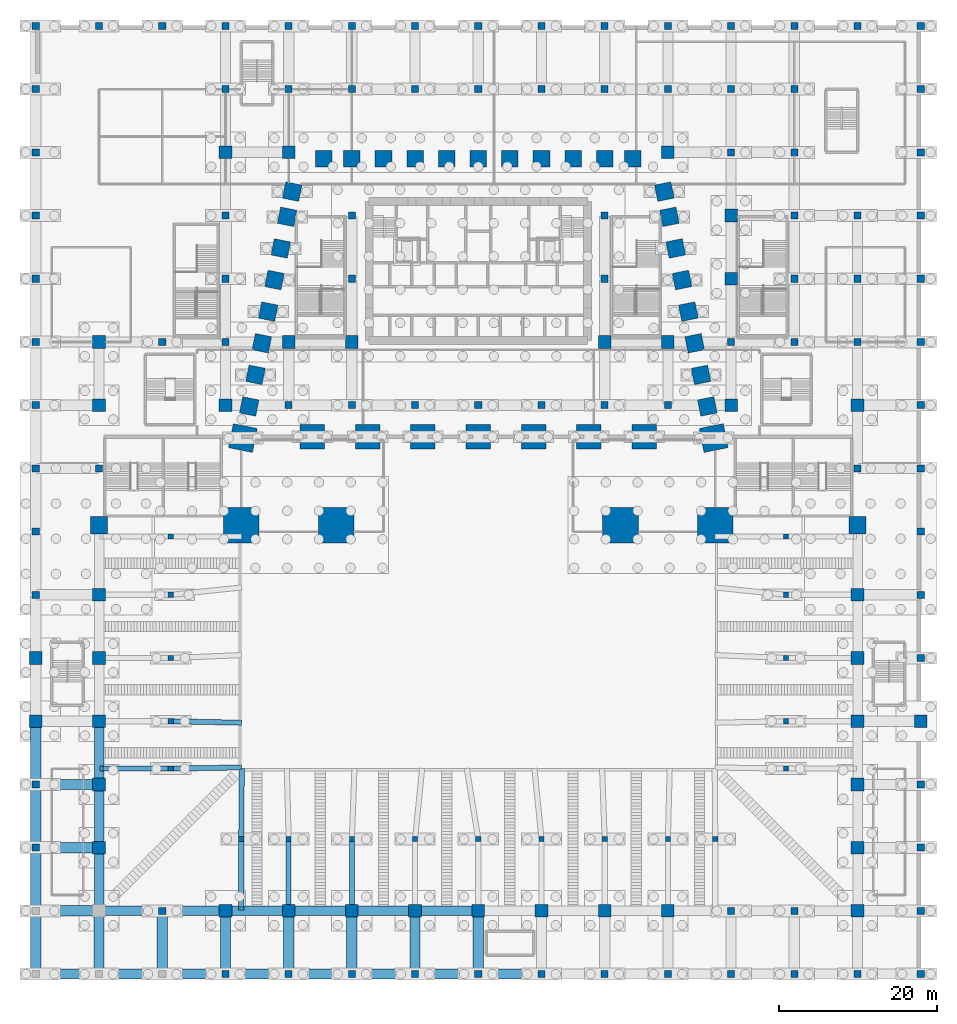
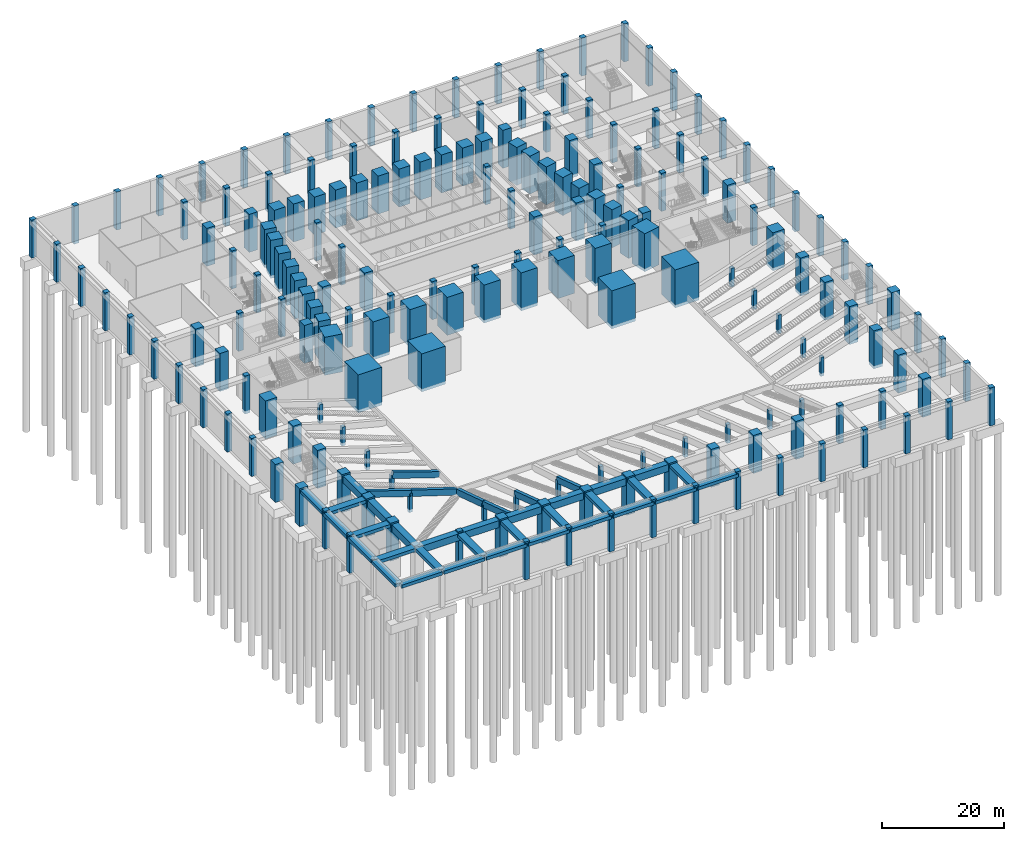
# One storey, part 4 of 30: 187 columns, 38 beams.
"""IFC4 building model written with IfcOpenShell, lengths in metres."""

from ifc_helpers import new_model, si_unit, direction, frame, origin, origin_2d, place, context, subcontext, project, spatial, rectangle, extrude, material, material_profile, profile_set, type_object, element, save


model = new_model("IFC4")

# Units and contexts
model_context = context("Model", 3, precision=1e-05, world=origin(), true_north=direction((0.0, 1.0)))
body_context = subcontext(model_context, "Body", "Model", "MODEL_VIEW")
ifc_project = project(units=[si_unit("LENGTHUNIT", "METRE"), si_unit("AREAUNIT", "SQUARE_METRE"), si_unit("VOLUMEUNIT", "CUBIC_METRE"), si_unit("PLANEANGLEUNIT", "RADIAN"), si_unit("MASSUNIT", "GRAM", prefix="KILO")], contexts=[model_context])

# Site, building, storey
site_placement = place(None, origin())
site = spatial("IfcSite", under=ifc_project, at=site_placement, CompositionType="ELEMENT")
building_placement = place(site_placement, origin())
building = spatial("IfcBuilding", under=site, at=building_placement, Name="Isbrekke Arena Tower", CompositionType="ELEMENT")
storey_placement = place(building_placement, frame((0.0, 0.0, -7.0)))
storey = spatial("IfcBuildingStorey", under=building, at=storey_placement, Name="B1", CompositionType="ELEMENT", Elevation=-7.0)

# Columns
ifc_material_1 = material(Name="Concrete B90 (C90/105)", Category="concrete")
ifc_material_profile_1 = material_profile(ifc_material_1, rectangle(XDim=2.10009765625, YDim=2.10009765625, at=origin_2d()), Name="RC 2100x2100")
ifc_profile_set_1 = profile_set([ifc_material_profile_1], Name="Concrete B90 (C90/105)")
column_type_1 = type_object("IfcColumnType", Name="C1 RC 2100 x 2100", PredefinedType="COLUMN", material=ifc_profile_set_1)
for number, where, z_axis, x_axis, name in (
    (1, (28.990966796875, -2.161865234375, -0.60009765625), (0.0, 0.0, 1.0), (-0.196116135138, 0.980580675691, 0.0), "C1 E04"),
    (2, (28.19091796875, 1.838134765625, -0.60009765625), (0.0, 0.0, 1.0), (-0.196116135138, 0.980580675691, 0.0), "C1 E05"),
    (3, (27.39111328125, 5.838134765625, -0.60009765625), (0.0, 0.0, 1.0), (-0.196116135138, 0.980580675691, 0.0), "C1 E06"),
    (4, (26.591064453125, 9.838134765625, -0.60009765625), (0.0, 0.0, 1.0), (-0.196116135138, 0.980580675691, 0.0), "C1 E07"),
    (5, (25.791015625, 13.838134765625, -0.60009765625), (0.0, 0.0, 1.0), (-0.196116135138, 0.980580675691, 0.0), "C1 E08"),
    (6, (24.990966796875, 17.838134765625, -0.60009765625), (0.0, 0.0, 1.0), (-0.196116135138, 0.980580675691, 0.0), "C1 E09"),
    (7, (24.19091796875, 21.838134765625, -0.60009765625), (0.0, 0.0, 1.0), (-0.196116135138, 0.980580675691, 0.0), "C1 E10"),
    (8, (23.552734375, 25.029296875, -0.60009765625), (0.0, 0.0, 1.0), (-0.196116135138, 0.980580675691, 0.0), "C1 E11"),
    (9, (19.574951171875, 29.175048828125, -0.60009765625), (0.0, 0.0, 1.0), (-1.0, 0.0, 0.0), "C1 N01"),
    (10, (16.0, 29.175048828125, -0.60009765625), (0.0, 0.0, 1.0), (-1.0, 0.0, 0.0), "C1 N02"),
    (11, (12.0, 29.175048828125, -0.60009765625), (0.0, 0.0, 1.0), (-1.0, 0.0, 0.0), "C1 N03"),
    (12, (8.0, 29.175048828125, -0.60009765625), (0.0, 0.0, 1.0), (-1.0, 0.0, 0.0), "C1 N04"),
    (13, (4.0, 29.175048828125, -0.60009765625), (0.0, 0.0, 1.0), (-1.0, 0.0, 0.0), "C1 N05"),
    (14, (0.0, 29.175048828125, -0.60009765625), (0.0, 0.0, 1.0), (-1.0, 0.0, 0.0), "C1 N06"),
    (15, (-4.0, 29.175048828125, -0.60009765625), (0.0, 0.0, 1.0), (-1.0, 0.0, 0.0), "C1 N07"),
    (16, (-8.0, 29.175048828125, -0.60009765625), (0.0, 0.0, 1.0), (-1.0, 0.0, 0.0), "C1 N08"),
    (17, (-12.0, 29.175048828125, -0.60009765625), (0.0, 0.0, 1.0), (-1.0, 0.0, 0.0), "C1 N09"),
    (18, (-16.0, 29.175048828125, -0.60009765625), (0.0, 0.0, 1.0), (-1.0, 0.0, 0.0), "C1 N10"),
    (19, (-19.574951171875, 29.175048828125, -0.60009765625), (0.0, 0.0, 1.0), (-1.0, 0.0, 0.0), "C1 N11"),
    (20, (-23.552734375, 25.029296875, -0.60009765625), (0.0, 0.0, 1.0), (-0.196116135138, -0.980580675691, 0.0), "C1 W01"),
    (21, (-24.19091796875, 21.838134765625, -0.60009765625), (0.0, 0.0, 1.0), (-0.196116135138, -0.980580675691, 0.0), "C1 W02"),
    (22, (-24.990966796875, 17.838134765625, -0.60009765625), (0.0, 0.0, 1.0), (-0.196116135138, -0.980580675691, 0.0), "C1 W03"),
    (23, (-25.791015625, 13.838134765625, -0.60009765625), (0.0, 0.0, 1.0), (-0.196116135138, -0.980580675691, 0.0), "C1 W04"),
    (24, (-26.591064453125, 9.838134765625, -0.60009765625), (0.0, 0.0, 1.0), (-0.196116135138, -0.980580675691, 0.0), "C1 W05"),
    (25, (-27.39111328125, 5.838134765625, -0.60009765625), (0.0, 0.0, 1.0), (-0.196116135138, -0.980580675691, 0.0), "C1 W06"),
    (26, (-28.19091796875, 1.838134765625, -0.60009765625), (0.0, 0.0, 1.0), (-0.196116135138, -0.980580675691, 0.0), "C1 W07"),
    (27, (-28.990966796875, -2.161865234375, -0.60009765625), (0.0, 0.0, 1.0), (-0.196116135138, -0.980580675691, 0.0), "C1 W08"),
):
    element("IfcColumn", number, at=place(storey_placement, frame(where, z_axis=z_axis, x_axis=x_axis)), inside=storey, type_object=column_type_1, Name=name, PredefinedType="COLUMN", context=body_context, shape_type="SweptSolid", body=[
        extrude(rectangle(XDim=2.10009765625, YDim=2.10009765625, at=origin_2d()), origin(), (0.0, 0.0, 1.0), 7.60009765625),
    ])
ifc_material_2 = material(Name="Concrete B55 (C55/67)", Category="concrete")
ifc_material_profile_2 = material_profile(ifc_material_2, rectangle(XDim=1.60009765625, YDim=1.60009765625, at=origin_2d()), Name="RC 1600x1600")
ifc_profile_set_2 = profile_set([ifc_material_profile_2], Name="Concrete B55 (C55/67)")
column_type_2 = type_object("IfcColumnType", Name="C15 RC 1600 x 1600", PredefinedType="COLUMN", material=ifc_profile_set_2)
for number, where, z_axis, x_axis, name in (
    (28, (-48.0, -58.0, -0.60009765625), (0.0, 0.0, 1.0), (1.0, 0.0, 0.0), "C15 PC2"),
    (29, (-48.0, -50.0, -0.60009765625), (0.0, 0.0, 1.0), (1.0, 0.0, 0.0), "C15 PD2"),
    (30, (-48.0, -42.0, -0.60009765625), (0.0, 0.0, 1.0), (1.0, 0.0, 0.0), "C15 PE2"),
    (31, (-48.0, -34.0, -0.60009765625), (0.0, 0.0, 1.0), (1.0, 0.0, 0.0), "C15 PF2"),
    (32, (-48.0, -26.0, -0.60009765625), (0.0, 0.0, 1.0), (1.0, 0.0, 0.0), "C15 PG2"),
    (33, (48.0, -66.0, -0.60009765625), (0.0, 0.0, 1.0), (1.0, 0.0, 0.0), "C15 PB14"),
    (34, (48.0, -58.0, -0.60009765625), (0.0, 0.0, 1.0), (1.0, 0.0, 0.0), "C15 PC14"),
    (35, (48.0, -50.0, -0.60009765625), (0.0, 0.0, 1.0), (1.0, 0.0, 0.0), "C15 PD14"),
    (36, (48.0, -42.0, -0.60009765625), (0.0, 0.0, 1.0), (1.0, 0.0, 0.0), "C15 PE14"),
    (37, (48.0, -34.0, -0.60009765625), (0.0, 0.0, 1.0), (1.0, 0.0, 0.0), "C15 PF14"),
    (38, (48.0, -26.0, -0.60009765625), (0.0, 0.0, 1.0), (1.0, 0.0, 0.0), "C15 PG14"),
):
    element("IfcColumn", number, at=place(storey_placement, frame(where, z_axis=z_axis, x_axis=x_axis)), inside=storey, type_object=column_type_2, Name=name, PredefinedType="COLUMN", context=body_context, shape_type="SweptSolid", body=[
        extrude(rectangle(XDim=1.60009765625, YDim=1.60009765625, at=origin_2d()), origin(), (0.0, 0.0, 1.0), 7.60009765625),
    ])
ifc_material_3 = material(Name="Concrete B55 (C55/67)", Category="concrete")
ifc_material_profile_3 = material_profile(ifc_material_3, rectangle(XDim=0.89990234375, YDim=0.89990234375, at=origin_2d()), Name="RC 900x900")
ifc_profile_set_3 = profile_set([ifc_material_profile_3], Name="Concrete B55 (C55/67)")
column_type_3 = type_object("IfcColumnType", Name="C16 RC 900 x 900", PredefinedType="COLUMN", material=ifc_profile_set_3)
for number, where, z_axis, x_axis, name in (
    (39, (-56.0, -58.0, -0.60009765625), (0.0, 0.0, 1.0), (1.0, 0.0, 0.0), "C16 PC1"),
    (40, (-56.0, -50.0, -0.60009765625), (0.0, 0.0, 1.0), (1.0, 0.0, 0.0), "C16 PD1"),
    (41, (-56.0, -26.0, -0.60009765625), (0.0, 0.0, 1.0), (1.0, 0.0, 0.0), "C16 PG1"),
    (42, (-56.0, -18.0, -0.60009765625), (0.0, 0.0, 1.0), (1.0, 0.0, 0.0), "C16 PH1"),
    (43, (-56.0, -10.0, -0.60009765625), (0.0, 0.0, 1.0), (1.0, 0.0, 0.0), "C16 PI1"),
    (44, (-56.0, -2.0, -0.60009765625), (0.0, 0.0, 1.0), (1.0, 0.0, 0.0), "C16 PJ1"),
    (45, (-56.0, 6.0, -0.60009765625), (0.0, 0.0, 1.0), (1.0, 0.0, 0.0), "C16 PK1"),
    (46, (-56.0, 14.0, -0.60009765625), (0.0, 0.0, 1.0), (1.0, 0.0, 0.0), "C16 PL1"),
    (47, (-56.0, 22.0, -0.60009765625), (0.0, 0.0, 1.0), (1.0, 0.0, 0.0), "C16 PM1"),
    (48, (-56.0, 30.0, -0.60009765625), (0.0, 0.0, 1.0), (1.0, 0.0, 0.0), "C16 PN1"),
    (49, (-56.0, 38.0, -0.60009765625), (0.0, 0.0, 1.0), (1.0, 0.0, 0.0), "C16 PO1"),
    (50, (-56.0, 46.0, -0.60009765625), (0.0, 0.0, 1.0), (1.0, 0.0, 0.0), "C16 PP1"),
    (51, (-48.0, -10.0, -0.60009765625), (0.0, 0.0, 1.0), (1.0, 0.0, 0.0), "C16 PI2"),
    (52, (-48.0, 46.0, -0.60009765625), (0.0, 0.0, 1.0), (1.0, 0.0, 0.0), "C16 PP2"),
    (53, (-40.0, -66.0, -0.60009765625), (0.0, 0.0, 1.0), (1.0, 0.0, 0.0), "C16 PB3"),
    (54, (-40.0, 6.0, -0.60009765625), (0.0, 0.0, 1.0), (1.0, 0.0, 0.0), "C16 PK3"),
    (55, (-40.0, 46.0, -0.60009765625), (0.0, 0.0, 1.0), (1.0, 0.0, 0.0), "C16 PP3"),
    (56, (-32.0, -74.0, -0.60009765625), (0.0, 0.0, 1.0), (1.0, 0.0, 0.0), "C16 PA4"),
    (57, (-32.0, 6.0, -0.60009765625), (0.0, 0.0, 1.0), (1.0, 0.0, 0.0), "C16 PK4"),
    (58, (-32.0, 14.0, -0.60009765625), (0.0, 0.0, 1.0), (1.0, 0.0, 0.0), "C16 PL4"),
    (59, (-32.0, 22.0, -0.60009765625), (0.0, 0.0, 1.0), (1.0, 0.0, 0.0), "C16 PM4"),
    (60, (-32.0, 38.0, -0.60009765625), (0.0, 0.0, 1.0), (1.0, 0.0, 0.0), "C16 PO4"),
    (61, (-32.0, 46.0, -0.60009765625), (0.0, 0.0, 1.0), (1.0, 0.0, 0.0), "C16 PP4"),
    (62, (-24.0, -74.0, -0.60009765625), (0.0, 0.0, 1.0), (1.0, 0.0, 0.0), "C16 PA5"),
    (63, (-24.0, -2.0, -0.60009765625), (0.0, 0.0, 1.0), (1.0, 0.0, 0.0), "C16 PJ5"),
    (64, (-24.0, 38.0, -0.60009765625), (0.0, 0.0, 1.0), (1.0, 0.0, 0.0), "C16 PO5"),
    (65, (-24.0, 46.0, -0.60009765625), (0.0, 0.0, 1.0), (1.0, 0.0, 0.0), "C16 PP5"),
    (66, (-16.0, -74.0, -0.60009765625), (0.0, 0.0, 1.0), (1.0, 0.0, 0.0), "C16 PA6"),
    (67, (-16.0, -2.0, -0.60009765625), (0.0, 0.0, 1.0), (1.0, 0.0, 0.0), "C16 PJ6"),
    (68, (-16.0, 14.0, -0.60009765625), (0.0, 0.0, 1.0), (1.0, 0.0, 0.0), "C16 PL6"),
    (69, (-16.0, 22.0, -0.60009765625), (0.0, 0.0, 1.0), (1.0, 0.0, 0.0), "C16 PM6"),
    (70, (-16.0, 38.0, -0.60009765625), (0.0, 0.0, 1.0), (1.0, 0.0, 0.0), "C16 PO6"),
    (71, (-16.0, 46.0, -0.60009765625), (0.0, 0.0, 1.0), (1.0, 0.0, 0.0), "C16 PP6"),
    (72, (-8.0, -74.0, -0.60009765625), (0.0, 0.0, 1.0), (1.0, 0.0, 0.0), "C16 PA7"),
    (73, (-8.0, -2.0, -0.60009765625), (0.0, 0.0, 1.0), (1.0, 0.0, 0.0), "C16 PJ7"),
    (74, (-8.0, 38.0, -0.60009765625), (0.0, 0.0, 1.0), (1.0, 0.0, 0.0), "C16 PO7"),
    (75, (-8.0, 46.0, -0.60009765625), (0.0, 0.0, 1.0), (1.0, 0.0, 0.0), "C16 PP7"),
    (76, (0.0, -74.0, -0.60009765625), (0.0, 0.0, 1.0), (1.0, 0.0, 0.0), "C16 PA8"),
    (77, (0.0, -2.0, -0.60009765625), (0.0, 0.0, 1.0), (1.0, 0.0, 0.0), "C16 PJ8"),
    (78, (0.0, 38.0, -0.60009765625), (0.0, 0.0, 1.0), (1.0, 0.0, 0.0), "C16 PO8"),
    (79, (0.0, 46.0, -0.60009765625), (0.0, 0.0, 1.0), (1.0, 0.0, 0.0), "C16 PP8"),
    (80, (8.0, -74.0, -0.60009765625), (0.0, 0.0, 1.0), (1.0, 0.0, 0.0), "C16 PA9"),
    (81, (8.0, -2.0, -0.60009765625), (0.0, 0.0, 1.0), (1.0, 0.0, 0.0), "C16 PJ9"),
    (82, (8.0, 38.0, -0.60009765625), (0.0, 0.0, 1.0), (1.0, 0.0, 0.0), "C16 PO9"),
    (83, (8.0, 46.0, -0.60009765625), (0.0, 0.0, 1.0), (1.0, 0.0, 0.0), "C16 PP9"),
    (84, (16.0, -74.0, -0.60009765625), (0.0, 0.0, 1.0), (1.0, 0.0, 0.0), "C16 PA10"),
    (85, (16.0, -2.0, -0.60009765625), (0.0, 0.0, 1.0), (1.0, 0.0, 0.0), "C16 PJ10"),
    (86, (16.0, 14.0, -0.60009765625), (0.0, 0.0, 1.0), (1.0, 0.0, 0.0), "C16 PL10"),
    (87, (16.0, 22.0, -0.60009765625), (0.0, 0.0, 1.0), (1.0, 0.0, 0.0), "C16 PM10"),
    (88, (16.0, 38.0, -0.60009765625), (0.0, 0.0, 1.0), (1.0, 0.0, 0.0), "C16 PO10"),
    (89, (16.0, 46.0, -0.60009765625), (0.0, 0.0, 1.0), (1.0, 0.0, 0.0), "C16 PP10"),
    (90, (24.0, -74.0, -0.60009765625), (0.0, 0.0, 1.0), (1.0, 0.0, 0.0), "C16 PA11"),
    (91, (24.0, -2.0, -0.60009765625), (0.0, 0.0, 1.0), (1.0, 0.0, 0.0), "C16 PJ11"),
    (92, (24.0, 38.0, -0.60009765625), (0.0, 0.0, 1.0), (1.0, 0.0, 0.0), "C16 PO11"),
    (93, (24.0, 46.0, -0.60009765625), (0.0, 0.0, 1.0), (1.0, 0.0, 0.0), "C16 PP11"),
    (94, (32.0, -74.0, -0.60009765625), (0.0, 0.0, 1.0), (1.0, 0.0, 0.0), "C16 PA12"),
    (95, (32.0, -66.0, -0.60009765625), (0.0, 0.0, 1.0), (1.0, 0.0, 0.0), "C16 PB12"),
    (96, (32.0, 6.0, -0.60009765625), (0.0, 0.0, 1.0), (1.0, 0.0, 0.0), "C16 PK12"),
    (97, (32.0, 30.0, -0.60009765625), (0.0, 0.0, 1.0), (1.0, 0.0, 0.0), "C16 PN12"),
    (98, (32.0, 38.0, -0.60009765625), (0.0, 0.0, 1.0), (1.0, 0.0, 0.0), "C16 PO12"),
    (99, (32.0, 46.0, -0.60009765625), (0.0, 0.0, 1.0), (1.0, 0.0, 0.0), "C16 PP12"),
    (100, (40.0, -74.0, -0.60009765625), (0.0, 0.0, 1.0), (1.0, 0.0, 0.0), "C16 PA13"),
    (101, (40.0, -66.0, -0.60009765625), (0.0, 0.0, 1.0), (1.0, 0.0, 0.0), "C16 PB13"),
    (102, (40.0, 6.0, -0.60009765625), (0.0, 0.0, 1.0), (1.0, 0.0, 0.0), "C16 PK13"),
    (103, (40.0, 14.0, -0.60009765625), (0.0, 0.0, 1.0), (1.0, 0.0, 0.0), "C16 PL13"),
    (104, (40.0, 22.0, -0.60009765625), (0.0, 0.0, 1.0), (1.0, 0.0, 0.0), "C16 PM13"),
    (105, (40.0, 30.0, -0.60009765625), (0.0, 0.0, 1.0), (1.0, 0.0, 0.0), "C16 PN13"),
    (106, (40.0, 38.0, -0.60009765625), (0.0, 0.0, 1.0), (1.0, 0.0, 0.0), "C16 PO13"),
    (107, (40.0, 46.0, -0.60009765625), (0.0, 0.0, 1.0), (1.0, 0.0, 0.0), "C16 PP13"),
    (108, (48.0, -74.0, -0.60009765625), (0.0, 0.0, 1.0), (1.0, 0.0, 0.0), "C16 PA14"),
    (109, (48.0, -10.0, -0.60009765625), (0.0, 0.0, 1.0), (1.0, 0.0, 0.0), "C16 PI14"),
    (110, (48.0, 6.0, -0.60009765625), (0.0, 0.0, 1.0), (1.0, 0.0, 0.0), "C16 PK14"),
    (111, (48.0, 14.0, -0.60009765625), (0.0, 0.0, 1.0), (1.0, 0.0, 0.0), "C16 PL14"),
    (112, (48.0, 22.0, -0.60009765625), (0.0, 0.0, 1.0), (1.0, 0.0, 0.0), "C16 PM14"),
    (113, (48.0, 46.0, -0.60009765625), (0.0, 0.0, 1.0), (1.0, 0.0, 0.0), "C16 PP14"),
    (114, (56.0, -74.0, -0.60009765625), (0.0, 0.0, 1.0), (1.0, 0.0, 0.0), "C16 PA15"),
    (115, (56.0, -66.0, -0.60009765625), (0.0, 0.0, 1.0), (1.0, 0.0, 0.0), "C16 PB15"),
    (116, (56.0, -58.0, -0.60009765625), (0.0, 0.0, 1.0), (1.0, 0.0, 0.0), "C16 PC15"),
    (117, (56.0, -50.0, -0.60009765625), (0.0, 0.0, 1.0), (1.0, 0.0, 0.0), "C16 PD15"),
    (118, (56.0, -34.0, -0.60009765625), (0.0, 0.0, 1.0), (1.0, 0.0, 0.0), "C16 PF15"),
    (119, (56.0, -26.0, -0.60009765625), (0.0, 0.0, 1.0), (1.0, 0.0, 0.0), "C16 PG15"),
    (120, (56.0, -18.0, -0.60009765625), (0.0, 0.0, 1.0), (1.0, 0.0, 0.0), "C16 PH15"),
    (121, (56.0, -10.0, -0.60009765625), (0.0, 0.0, 1.0), (1.0, 0.0, 0.0), "C16 PI15"),
    (122, (56.0, -2.0, -0.60009765625), (0.0, 0.0, 1.0), (1.0, 0.0, 0.0), "C16 PJ15"),
    (123, (56.0, 6.0, -0.60009765625), (0.0, 0.0, 1.0), (1.0, 0.0, 0.0), "C16 PK15"),
    (124, (56.0, 14.0, -0.60009765625), (0.0, 0.0, 1.0), (1.0, 0.0, 0.0), "C16 PL15"),
    (125, (56.0, 22.0, -0.60009765625), (0.0, 0.0, 1.0), (1.0, 0.0, 0.0), "C16 PM15"),
    (126, (56.0, 30.0, -0.60009765625), (0.0, 0.0, 1.0), (1.0, 0.0, 0.0), "C16 PN15"),
    (127, (56.0, 38.0, -0.60009765625), (0.0, 0.0, 1.0), (1.0, 0.0, 0.0), "C16 PO15"),
    (128, (56.0, 46.0, -0.60009765625), (0.0, 0.0, 1.0), (1.0, 0.0, 0.0), "C16 PP15"),
):
    element("IfcColumn", number, at=place(storey_placement, frame(where, z_axis=z_axis, x_axis=x_axis)), inside=storey, type_object=column_type_3, Name=name, PredefinedType="COLUMN", context=body_context, shape_type="SweptSolid", body=[
        extrude(rectangle(XDim=0.89990234375, YDim=0.89990234375, at=origin_2d()), origin(), (0.0, 0.0, 1.0), 7.60009765625),
    ])
ifc_material_4 = material(Name="Concrete B90 (C90/105)", Category="concrete")
ifc_material_profile_4 = material_profile(ifc_material_4, rectangle(XDim=3.10009765625, YDim=3.10009765625, at=origin_2d()), Name="RC 3100x3100")
ifc_profile_set_4 = profile_set([ifc_material_profile_4], Name="Concrete B90 (C90/105)")
column_type_4 = type_object("IfcColumnType", Name="C17 RC 3100 x 3100", PredefinedType="COLUMN", material=ifc_profile_set_4)
for number, where, z_axis, x_axis, name in (
    (129, (29.791015625, -6.161865234375, -0.60009765625), (0.0, 0.0, 1.0), (-0.196116135138, 0.980580675691, 0.0), "C17 E03"),
    (130, (-29.791015625, -6.161865234375, -0.60009765625), (0.0, 0.0, 1.0), (-0.196116135138, -0.980580675691, 0.0), "C17 W09"),
    (131, (-21.0, -6.0, -0.60009765625), (0.0, 0.0, 1.0), (1.0, 0.0, 0.0), "C17 I01"),
    (132, (-14.0, -6.0, -0.60009765625), (0.0, 0.0, 1.0), (1.0, 0.0, 0.0), "C17 I02"),
    (133, (-7.0, -6.0, -0.60009765625), (0.0, 0.0, 1.0), (1.0, 0.0, 0.0), "C17 I03"),
    (134, (0.0, -6.0, -0.60009765625), (0.0, 0.0, 1.0), (1.0, 0.0, 0.0), "C17 I04"),
    (135, (7.0, -6.0, -0.60009765625), (0.0, 0.0, 1.0), (1.0, 0.0, 0.0), "C17 I05"),
    (136, (14.0, -6.0, -0.60009765625), (0.0, 0.0, 1.0), (1.0, 0.0, 0.0), "C17 I06"),
    (137, (21.0, -6.0, -0.60009765625), (0.0, 0.0, 1.0), (1.0, 0.0, 0.0), "C17 I07"),
):
    element("IfcColumn", number, at=place(storey_placement, frame(where, z_axis=z_axis, x_axis=x_axis)), inside=storey, type_object=column_type_4, Name=name, PredefinedType="COLUMN", context=body_context, shape_type="SweptSolid", body=[
        extrude(rectangle(XDim=3.10009765625, YDim=3.10009765625, at=origin_2d()), origin(), (0.0, 0.0, 1.0), 7.60009765625),
    ])
ifc_material_5 = material(Name="Concrete B55 (C55/67)", Category="concrete")
ifc_material_profile_5 = material_profile(ifc_material_5, rectangle(XDim=1.60009765625, YDim=1.60009765625, at=origin_2d()), Name="RC 1600x1600")
ifc_profile_set_5 = profile_set([ifc_material_profile_5], Name="Concrete B55 (C55/67)")
column_type_5 = type_object("IfcColumnType", Name="C18 RC 1600 x 1600", PredefinedType="COLUMN", material=ifc_profile_set_5)
for number, where, z_axis, x_axis, name in (
    (138, (-56.0, -42.0, -0.60009765625), (0.0, 0.0, 1.0), (1.0, 0.0, 0.0), "C18 PE1"),
    (139, (-56.0, -34.0, -0.60009765625), (0.0, 0.0, 1.0), (1.0, 0.0, 0.0), "C18 PF1"),
    (140, (-48.0, -2.0, -0.60009765625), (0.0, 0.0, 1.0), (1.0, 0.0, 0.0), "C18 PJ2"),
    (141, (-48.0, 6.0, -0.60009765625), (0.0, 0.0, 1.0), (1.0, 0.0, 0.0), "C18 PK2"),
    (142, (-32.0, -66.0, -0.60009765625), (0.0, 0.0, 1.0), (1.0, 0.0, 0.0), "C18 PB4"),
    (143, (-32.0, -2.0, -0.60009765625), (0.0, 0.0, 1.0), (1.0, 0.0, 0.0), "C18 PJ4"),
    (144, (-32.0, 30.0, -0.60009765625), (0.0, 0.0, 1.0), (1.0, 0.0, 0.0), "C18 PN4"),
    (145, (-24.0, -66.0, -0.60009765625), (0.0, 0.0, 1.0), (1.0, 0.0, 0.0), "C18 PB5"),
    (146, (-24.0, 6.0, -0.60009765625), (0.0, 0.0, 1.0), (1.0, 0.0, 0.0), "C18 PK5"),
    (147, (-24.0, 30.0, -0.60009765625), (0.0, 0.0, 1.0), (1.0, 0.0, 0.0), "C18 PN5"),
    (148, (-16.0, -66.0, -0.60009765625), (0.0, 0.0, 1.0), (1.0, 0.0, 0.0), "C18 PB6"),
    (149, (-16.030029296875, 6.0, -0.60009765625), (0.0, 0.0, 1.0), (1.0, 0.0, 0.0), "C18 PK6"),
    (150, (-8.0, -66.0, -0.60009765625), (0.0, 0.0, 1.0), (1.0, 0.0, 0.0), "C18 PB7"),
    (151, (0.0, -66.0, -0.60009765625), (0.0, 0.0, 1.0), (1.0, 0.0, 0.0), "C18 PB8"),
    (152, (8.0, -66.0, -0.60009765625), (0.0, 0.0, 1.0), (1.0, 0.0, 0.0), "C18 PB9"),
    (153, (16.0, -66.0, -0.60009765625), (0.0, 0.0, 1.0), (1.0, 0.0, 0.0), "C18 PB10"),
    (154, (16.030029296875, 6.0, -0.60009765625), (0.0, 0.0, 1.0), (1.0, 0.0, 0.0), "C18 PK10"),
    (155, (24.0, -66.0, -0.60009765625), (0.0, 0.0, 1.0), (1.0, 0.0, 0.0), "C18 PB11"),
    (156, (24.0, 6.0, -0.60009765625), (0.0, 0.0, 1.0), (1.0, 0.0, 0.0), "C18 PK11"),
    (157, (24.0, 30.0, -0.60009765625), (0.0, 0.0, 1.0), (1.0, 0.0, 0.0), "C18 PN11"),
    (158, (32.0, -2.0, -0.60009765625), (0.0, 0.0, 1.0), (1.0, 0.0, 0.0), "C18 PJ12"),
    (159, (32.0, 14.0, -0.60009765625), (0.0, 0.0, 1.0), (1.0, 0.0, 0.0), "C18 PL12"),
    (160, (32.0, 22.0, -0.60009765625), (0.0, 0.0, 1.0), (1.0, 0.0, 0.0), "C18 PM12"),
    (161, (48.0, -2.0, -0.60009765625), (0.0, 0.0, 1.0), (1.0, 0.0, 0.0), "C18 PJ14"),
    (162, (56.0, -42.0, -0.60009765625), (0.0, 0.0, 1.0), (1.0, 0.0, 0.0), "C18 PE15"),
):
    element("IfcColumn", number, at=place(storey_placement, frame(where, z_axis=z_axis, x_axis=x_axis)), inside=storey, type_object=column_type_5, Name=name, PredefinedType="COLUMN", context=body_context, shape_type="SweptSolid", body=[
        extrude(rectangle(XDim=1.60009765625, YDim=1.60009765625, at=origin_2d()), origin(), (0.0, 0.0, 1.0), 7.60009765625),
    ])
ifc_material_6 = material(Name="Concrete B45 (C45/55)", Category="concrete")
ifc_material_profile_6 = material_profile(ifc_material_6, rectangle(XDim=0.64990234375, YDim=0.64990234375, at=origin_2d()), Name="RC 650x650")
ifc_profile_set_6 = profile_set([ifc_material_profile_6], Name="Concrete B45 (C45/55)")
column_type_6 = type_object("IfcColumnType", Name="C19 RC 650 x 650", PredefinedType="COLUMN", material=ifc_profile_set_6)
for number, where, z_axis, x_axis, name in (
    (163, (38.925048828125, -48.0, -0.60009765625), (0.0, 0.0, 1.0), (1.0, 0.0, 0.0), "C19 RE48"),
    (164, (38.925048828125, -42.0, -0.60009765625), (0.0, 0.0, 1.0), (1.0, 0.0, 0.0), "C19 RE42"),
    (165, (38.925048828125, -34.0, -0.60009765625), (0.0, 0.0, 1.0), (1.0, 0.0, 0.0), "C19 RE34"),
    (166, (38.925048828125, -26.0, -0.60009765625), (0.0, 0.0, 1.0), (1.0, 0.0, 0.0), "C19 RE26"),
    (167, (38.925048828125, -18.60009765625, -0.60009765625), (0.0, 0.0, 1.0), (1.0, 0.0, 0.0), "C19 RE18"),
    (168, (-38.925048828125, -48.0, -0.60009765625), (0.0, 0.0, 1.0), (1.0, 0.0, 0.0), "C19 RW48"),
    (169, (-38.925048828125, -42.0, -0.60009765625), (0.0, 0.0, 1.0), (1.0, 0.0, 0.0), "C19 RW42"),
    (170, (-38.925048828125, -34.0, -0.60009765625), (0.0, 0.0, 1.0), (1.0, 0.0, 0.0), "C19 RW34"),
    (171, (-38.925048828125, -26.0, -0.60009765625), (0.0, 0.0, 1.0), (1.0, 0.0, 0.0), "C19 RW26"),
    (172, (-38.925048828125, -18.60009765625, -0.60009765625), (0.0, 0.0, 1.0), (1.0, 0.0, 0.0), "C19 RW18"),
    (173, (-30.0, -56.925048828125, -0.60009765625), (0.0, 0.0, 1.0), (1.0, 0.0, 0.0), "C19 RS-30"),
    (174, (-24.0, -56.925048828125, -0.60009765625), (0.0, 0.0, 1.0), (1.0, 0.0, 0.0), "C19 RS-24"),
    (175, (-16.0, -56.925048828125, -0.60009765625), (0.0, 0.0, 1.0), (1.0, 0.0, 0.0), "C19 RS-16"),
    (176, (-8.0, -56.925048828125, -0.60009765625), (0.0, 0.0, 1.0), (1.0, 0.0, 0.0), "C19 RS-8"),
    (177, (0.0, -56.925048828125, -0.60009765625), (0.0, 0.0, 1.0), (1.0, 0.0, 0.0), "C19 RS+0"),
    (178, (8.0, -56.925048828125, -0.60009765625), (0.0, 0.0, 1.0), (1.0, 0.0, 0.0), "C19 RS+8"),
    (179, (16.0, -56.925048828125, -0.60009765625), (0.0, 0.0, 1.0), (1.0, 0.0, 0.0), "C19 RS+16"),
    (180, (24.0, -56.925048828125, -0.60009765625), (0.0, 0.0, 1.0), (1.0, 0.0, 0.0), "C19 RS+24"),
    (181, (30.0, -56.925048828125, -0.60009765625), (0.0, 0.0, 1.0), (1.0, 0.0, 0.0), "C19 RS+30"),
):
    element("IfcColumn", number, at=place(storey_placement, frame(where, z_axis=z_axis, x_axis=x_axis)), inside=storey, type_object=column_type_6, Name=name, PredefinedType="COLUMN", context=body_context, shape_type="SweptSolid", body=[
        extrude(rectangle(XDim=0.64990234375, YDim=0.64990234375, at=origin_2d()), origin(), (0.0, 0.0, 1.0), 3.775634765625),
    ])
ifc_material_7 = material(Name="Concrete B65 (C65/80)", Category="concrete")
ifc_material_profile_7 = material_profile(ifc_material_7, rectangle(XDim=2.199951171875, YDim=2.199951171875, at=origin_2d()), Name="RC 2200x2200")
ifc_profile_set_7 = profile_set([ifc_material_profile_7], Name="Concrete B65 (C65/80)")
column_type_7 = type_object("IfcColumnType", Name="MC1 RC 2200 x 2200", PredefinedType="COLUMN", material=ifc_profile_set_7)
for number, where, z_axis, x_axis, name in (
    (182, (-48.0, -17.175048828125, -0.60009765625), (0.0, 0.0, 1.0), (1.0, 0.0, 0.0), "MC1 mega column MCW"),
    (183, (48.0, -17.175048828125, -0.60009765625), (0.0, 0.0, 1.0), (1.0, 0.0, 0.0), "MC1 mega column MCE"),
):
    element("IfcColumn", number, at=place(storey_placement, frame(where, z_axis=z_axis, x_axis=x_axis)), inside=storey, type_object=column_type_7, Name=name, PredefinedType="COLUMN", context=body_context, shape_type="SweptSolid", body=[
        extrude(rectangle(XDim=2.199951171875, YDim=2.199951171875, at=origin_2d()), origin(), (0.0, 0.0, 1.0), 7.60009765625),
    ])
ifc_material_8 = material(Name="Concrete B90 (C90/105)", Category="concrete")
ifc_material_profile_8 = material_profile(ifc_material_8, rectangle(XDim=4.5, YDim=4.5, at=origin_2d()), Name="RC 4500x4500")
ifc_profile_set_8 = profile_set([ifc_material_profile_8], Name="Concrete B90 (C90/105)")
column_type_8 = type_object("IfcColumnType", Name="MC2 RC 4500 x 4500", PredefinedType="COLUMN", material=ifc_profile_set_8)
for number, where, z_axis, x_axis, name in (
    (184, (-30.0, -17.175048828125, -0.60009765625), (0.0, 0.0, 1.0), (1.0, 0.0, 0.0), "MC2 mega column SFW30"),
    (185, (-18.0, -17.175048828125, -0.60009765625), (0.0, 0.0, 1.0), (1.0, 0.0, 0.0), "MC2 mega column SFW18"),
    (186, (18.0, -17.175048828125, -0.60009765625), (0.0, 0.0, 1.0), (1.0, 0.0, 0.0), "MC2 mega column SFE18"),
    (187, (30.0, -17.175048828125, -0.60009765625), (0.0, 0.0, 1.0), (1.0, 0.0, 0.0), "MC2 mega column SFE30"),
):
    element("IfcColumn", number, at=place(storey_placement, frame(where, z_axis=z_axis, x_axis=x_axis)), inside=storey, type_object=column_type_8, Name=name, PredefinedType="COLUMN", context=body_context, shape_type="SweptSolid", body=[
        extrude(rectangle(XDim=4.5, YDim=4.5, at=origin_2d()), origin(), (0.0, 0.0, 1.0), 7.60009765625),
    ])

# Beams
ifc_material_9 = material(Name="Concrete B45 (C45/55)", Category="concrete")
ifc_material_profile_9 = material_profile(ifc_material_9, rectangle(XDim=1.300048828125, YDim=0.64990234375, at=origin_2d()), Name="RC 1300x650")
ifc_profile_set_9 = profile_set([ifc_material_profile_9], Name="Concrete B45 (C45/55)")
beam_type_1 = type_object("IfcBeamType", Name="PB1 RC 1300 x 650", PredefinedType="BEAM", material=ifc_profile_set_9)
for number, where, z_axis, x_axis, name in (
    (188, (-55.85009765625, -74.0, 6.375), (1.0, 0.0, 0.0), (0.0, 1.0, 0.0), "PB1 podium beam A1 L00"),
    (189, (-56.0, -73.85009765625, 6.375), (0.0, 1.0, 0.0), (-1.0, 0.0, 0.0), "PB1 podium beam A1 L00"),
    (190, (-47.85009765625, -74.0, 6.375), (1.0, 0.0, 0.0), (0.0, 1.0, 0.0), "PB1 podium beam A2 L00"),
    (191, (-48.0, -73.85009765625, 6.375), (0.0, 1.0, 0.0), (-1.0, 0.0, 0.0), "PB1 podium beam A2 L00"),
    (192, (-39.85009765625, -74.0, 6.375), (1.0, 0.0, 0.0), (0.0, 1.0, 0.0), "PB1 podium beam A3 L00"),
    (193, (-40.0, -73.85009765625, 6.375), (0.0, 1.0, 0.0), (-1.0, 0.0, 0.0), "PB1 podium beam A3 L00"),
    (194, (-31.85009765625, -74.0, 6.375), (1.0, 0.0, 0.0), (0.0, 1.0, 0.0), "PB1 podium beam A4 L00"),
    (195, (-32.0, -73.85009765625, 6.375), (0.0, 1.0, 0.0), (-1.0, 0.0, 0.0), "PB1 podium beam A4 L00"),
    (196, (-23.85009765625, -74.0, 6.375), (1.0, 0.0, 0.0), (0.0, 1.0, 0.0), "PB1 podium beam A5 L00"),
    (197, (-24.0, -73.85009765625, 6.375), (0.0, 1.0, 0.0), (-1.0, 0.0, 0.0), "PB1 podium beam A5 L00"),
    (198, (-15.85009765625, -74.0, 6.375), (1.0, 0.0, 0.0), (0.0, 1.0, 0.0), "PB1 podium beam A6 L00"),
    (199, (-16.0, -73.85009765625, 6.375), (0.0, 1.0, 0.0), (-1.0, 0.0, 0.0), "PB1 podium beam A6 L00"),
    (200, (-7.85009765625, -74.0, 6.375), (1.0, 0.0, 0.0), (0.0, 1.0, 0.0), "PB1 podium beam A7 L00"),
    (201, (-8.0, -73.85009765625, 6.375), (0.0, 1.0, 0.0), (-1.0, 0.0, 0.0), "PB1 podium beam A7 L00"),
    (202, (0.14990234375, -74.0, 6.375), (1.0, 0.0, 0.0), (0.0, 1.0, 0.0), "PB1 podium beam A8 L00"),
    (203, (0.0, -73.85009765625, 6.375), (0.0, 1.0, 0.0), (-1.0, 0.0, 0.0), "PB1 podium beam A8 L00"),
    (204, (-55.85009765625, -66.0, 6.375), (1.0, 0.0, 0.0), (0.0, 1.0, 0.0), "PB1 podium beam B1 L00"),
    (205, (-56.0, -65.85009765625, 6.375), (0.0, 1.0, 0.0), (-1.0, 0.0, 0.0), "PB1 podium beam B1 L00"),
    (206, (-55.85009765625, -58.0, 6.375), (1.0, 0.0, 0.0), (0.0, 1.0, 0.0), "PB1 podium beam C1 L00"),
    (207, (-56.0, -57.85009765625, 6.375), (0.0, 1.0, 0.0), (-1.0, 0.0, 0.0), "PB1 podium beam C1 L00"),
    (208, (-55.85009765625, -50.0, 6.375), (1.0, 0.0, 0.0), (0.0, 1.0, 0.0), "PB1 podium beam D1 L00"),
    (209, (-56.0, -49.85009765625, 6.375), (0.0, 1.0, 0.0), (-1.0, 0.0, 0.0), "PB1 podium beam D1 L00"),
):
    element("IfcBeam", number, at=place(storey_placement, frame(where, z_axis=z_axis, x_axis=x_axis)), inside=storey, type_object=beam_type_1, Name=name, PredefinedType="BEAM", context=body_context, shape_type="SweptSolid", body=[
        extrude(rectangle(XDim=1.300048828125, YDim=0.64990234375, at=origin_2d()), origin(), (0.0, 0.0, 1.0), 7.7001953125),
    ])
ifc_material_10 = material(Name="Concrete B45 (C45/55)", Category="concrete")
ifc_material_profile_10 = material_profile(ifc_material_10, rectangle(XDim=0.64990234375, YDim=1.199951171875, at=origin_2d()), Name="RC 650x1200")
ifc_profile_set_10 = profile_set([ifc_material_profile_10], Name="Concrete B45 (C45/55)")
beam_type_2 = type_object("IfcBeamType", Name="RB1 RC 650 x 1200", PredefinedType="BEAM", material=ifc_profile_set_10)
beam_1_placement = place(storey_placement, frame((-30.14990234375, -47.85009765625, 0.299072265625), z_axis=(-0.950065453939, -0.016239982982, 0.311627816768), x_axis=(0.017091044476, -0.999853937432, 0.0)))
element("IfcBeam", 210, at=beam_1_placement, inside=storey, type_object=beam_type_2, Name="RB1 raker W48 span 1", PredefinedType="BEAM", context=body_context, shape_type="SweptSolid", body=[
    extrude(rectangle(XDim=0.64990234375, YDim=1.199951171875, at=origin_2d()), origin(), (0.0, 0.0, 1.0), 9.23046875),
])
beam_2_placement = place(storey_placement, frame((-38.925048828125, -48.0, 3.175537109375), z_axis=(-0.950255071756, 0.0, 0.311472789504), x_axis=(0.0, -1.0, 0.0)))
element("IfcBeam", 211, at=beam_2_placement, inside=storey, type_object=beam_type_2, Name="RB1 raker W48 span 2", PredefinedType="BEAM", context=body_context, shape_type="SweptSolid", body=[
    extrude(rectangle(XDim=0.64990234375, YDim=1.199951171875, at=origin_2d()), origin(), (0.0, 0.0, 1.0), 9.234375),
])
beam_3_placement = place(storey_placement, frame((-30.14990234375, -42.1875, 0.299072265625), z_axis=(-0.949979767861, 0.020288313247, 0.311651768807), x_axis=(-0.021351705302, -0.999772026354, 0.0)))
element("IfcBeam", 212, at=beam_3_placement, inside=storey, type_object=beam_type_2, Name="RB1 raker W42 span 1", PredefinedType="BEAM", context=body_context, shape_type="SweptSolid", body=[
    extrude(rectangle(XDim=0.64990234375, YDim=1.199951171875, at=origin_2d()), origin(), (0.0, 0.0, 1.0), 9.229736328125),
])
beam_4_placement = place(storey_placement, frame((-29.925048828125, -48.14990234375, 0.299072265625), z_axis=(-0.008118550113, -0.950187700682, 0.311572499776), x_axis=(0.999963500714, -0.008543842218, 0.0)))
element("IfcBeam", 213, at=beam_4_placement, inside=storey, type_object=beam_type_2, Name="RB1 raker S-30 span 1", PredefinedType="BEAM", context=body_context, shape_type="SweptSolid", body=[
    extrude(rectangle(XDim=0.64990234375, YDim=1.199951171875, at=origin_2d()), origin(), (0.0, 0.0, 1.0), 9.232177734375),
])
for number, where, z_axis, x_axis, name in (
    (214, (-30.0, -56.925048828125, 3.175537109375), (0.0, -0.950255071756, 0.311472789504), (1.0, 0.0, 0.0), "RB1 raker S-30 span 2"),
    (215, (-24.0, -56.925048828125, 3.175537109375), (0.0, -0.950255071756, 0.311472789504), (1.0, 0.0, 0.0), "RB1 raker S-24 span 2"),
    (216, (-16.0, -56.925048828125, 3.175537109375), (0.0, -0.950255071756, 0.311472789504), (1.0, 0.0, 0.0), "RB1 raker S-16 span 2"),
):
    element("IfcBeam", number, at=place(storey_placement, frame(where, z_axis=z_axis, x_axis=x_axis)), inside=storey, type_object=beam_type_2, Name=name, PredefinedType="BEAM", context=body_context, shape_type="SweptSolid", body=[
        extrude(rectangle(XDim=0.64990234375, YDim=1.199951171875, at=origin_2d()), origin(), (0.0, 0.0, 1.0), 9.234375),
    ])
ifc_material_11 = material(Name="Concrete B45 (C45/55)", Category="concrete")
ifc_material_profile_11 = material_profile(ifc_material_11, rectangle(XDim=1.199951171875, YDim=1.39990234375, at=origin_2d()), Name="RC 1200x1400")
ifc_profile_set_11 = profile_set([ifc_material_profile_11], Name="Concrete B45 (C45/55)")
beam_type_3 = type_object("IfcBeamType", Name="RB2 RC 1200 x 1400", PredefinedType="BEAM", material=ifc_profile_set_11)
for number, where, z_axis, x_axis, name in (
    (217, (-48.0, -66.0, 6.0), (0.0, 1.0, 0.0), (-1.0, 0.0, 0.0), "RB2 bowl ring beam W66"),
    (218, (-48.0, -58.0, 6.0), (0.0, 1.0, 0.0), (-1.0, 0.0, 0.0), "RB2 bowl ring beam W58"),
    (219, (-48.0, -50.0, 6.0), (0.0, 1.0, 0.0), (-1.0, 0.0, 0.0), "RB2 bowl ring beam W50"),
    (220, (-48.0, -66.0, 6.0), (1.0, 0.0, 0.0), (0.0, 1.0, 0.0), "RB2 bowl ring beam S-48"),
    (221, (-40.0, -66.0, 6.0), (1.0, 0.0, 0.0), (0.0, 1.0, 0.0), "RB2 bowl ring beam S-40"),
    (222, (-32.0, -66.0, 6.0), (1.0, 0.0, 0.0), (0.0, 1.0, 0.0), "RB2 bowl ring beam S-32"),
    (223, (-24.0, -66.0, 6.0), (1.0, 0.0, 0.0), (0.0, 1.0, 0.0), "RB2 bowl ring beam S-24"),
    (224, (-16.0, -66.0, 6.0), (1.0, 0.0, 0.0), (0.0, 1.0, 0.0), "RB2 bowl ring beam S-16"),
    (225, (-8.0, -66.0, 6.0), (1.0, 0.0, 0.0), (0.0, 1.0, 0.0), "RB2 bowl ring beam S-8"),
):
    element("IfcBeam", number, at=place(storey_placement, frame(where, z_axis=z_axis, x_axis=x_axis)), inside=storey, type_object=beam_type_3, Name=name, PredefinedType="BEAM", context=body_context, shape_type="SweptSolid", body=[
        extrude(rectangle(XDim=1.199951171875, YDim=1.39990234375, at=origin_2d()), origin(), (0.0, 0.0, 1.0), 8.0),
    ])

save(model, "model.ifc")
